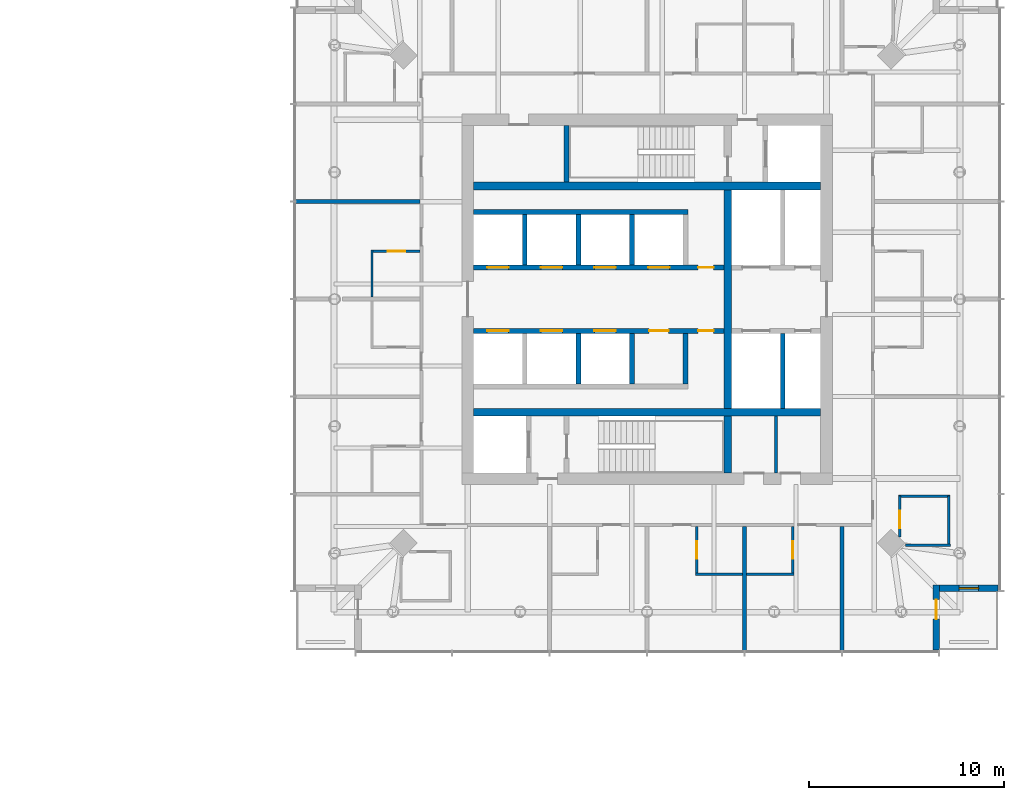
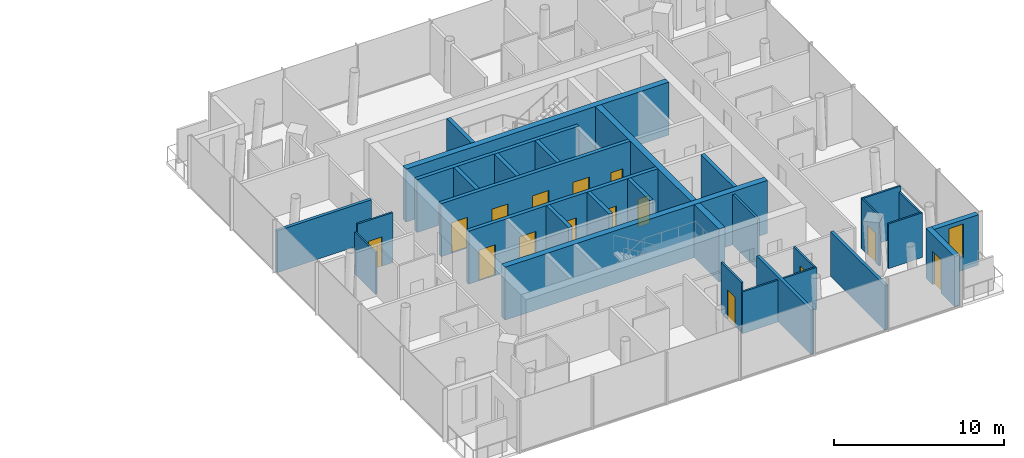
# One storey, part 14 of 27: 31 walls, 15 doors, 1 window, 16 openings.
"""IFC4 building model written with IfcOpenShell, lengths in metres."""

from ifc_helpers import new_model, si_unit, direction, frame, frame_2d, origin, place, context, subcontext, project, spatial, rectangle, extrude, material, layer, layer_set, type_object, element, fill, save


model = new_model("IFC4")

# Units and contexts
model_context = context("Model", 3, precision=1e-05, world=origin(), true_north=direction((0.0, 1.0)))
body_context = subcontext(model_context, "Body", "Model", "MODEL_VIEW")
ifc_project = project(units=[si_unit("LENGTHUNIT", "METRE"), si_unit("AREAUNIT", "SQUARE_METRE"), si_unit("VOLUMEUNIT", "CUBIC_METRE"), si_unit("PLANEANGLEUNIT", "RADIAN"), si_unit("MASSUNIT", "GRAM", prefix="KILO")], contexts=[model_context])

# Site, building, storey
site_placement = place(None, origin())
site = spatial("IfcSite", under=ifc_project, at=site_placement, CompositionType="ELEMENT")
building_placement = place(site_placement, origin())
building = spatial("IfcBuilding", under=site, at=building_placement, Name="Ostroluk Exchange", CompositionType="ELEMENT")
storey_placement = place(building_placement, frame((0.0, 0.0, 89.39990234375)))
storey = spatial("IfcBuildingStorey", under=building, at=storey_placement, Name="L22", CompositionType="ELEMENT", Elevation=89.39990234375)

# Walls
ifc_material_1 = material(Name="Concrete blockwork", Category="masonry")
ifc_layer_1 = layer(ifc_material_1, 0.14990234375)
ifc_layer_set_1 = layer_set([ifc_layer_1], Name="Blockwork plant room wall 150")
wall_type_1 = type_object("IfcWallType", Name="Blockwork plant room wall 150", PredefinedType="SOLIDWALL", material=ifc_layer_set_1)
wall_1_placement = place(storey_placement, frame((123.614990234375, 37.10009765625, 0.0), z_axis=(0.0, 0.0, 1.0), x_axis=(0.0, 1.0, 0.0)))
element("IfcWall", 1, at=wall_1_placement, inside=storey, type_object=wall_type_1, Name="Core room wall", PredefinedType="SOLIDWALL", context=body_context, shape_type="SweptSolid", body=[
    extrude(rectangle(XDim=2.89990234375, YDim=0.14990234375, at=frame_2d((1.449951171875, 0.0))), origin(), (0.0, 0.0, 1.0), 3.60009765625),
])
ifc_material_2 = material(Name="Concrete C50/60", Category="concrete")
ifc_layer_2 = layer(ifc_material_2, 0.39990234375)
ifc_layer_set_2 = layer_set([ifc_layer_2], Name="Core cross wall 400 C50/60")
wall_type_2 = type_object("IfcWallType", Name="Core cross wall 400 C50/60", PredefinedType="SHEAR", material=ifc_layer_set_2)
for number, where, z_axis, x_axis, name in (
    (2, (108.10009765625, 40.199951171875, 0.0), (0.0, 0.0, 1.0), (1.0, 0.0, 0.0), "T2 core wall XS"),
    (3, (108.10009765625, 51.800048828125, 0.0), (0.0, 0.0, 1.0), (1.0, 0.0, 0.0), "T2 core wall XN"),
):
    element("IfcWall", number, at=place(storey_placement, frame(where, z_axis=z_axis, x_axis=x_axis)), inside=storey, type_object=wall_type_2, Name=name, PredefinedType="SHEAR", context=body_context, shape_type="SweptSolid", body=[
        extrude(rectangle(XDim=17.7998046875, YDim=0.39990234375, at=frame_2d((8.89990234375, 0.0))), origin(), (0.0, 0.0, 1.0), 3.800048828125),
    ])
wall_2_placement = place(storey_placement, frame((121.1298828125, 37.10009765625, 0.0), z_axis=(0.0, 0.0, 1.0), x_axis=(0.0, 1.0, 0.0)))
element("IfcWall", 4, at=wall_2_placement, inside=storey, type_object=wall_type_2, Name="T2 core wall YE1", PredefinedType="SHEAR", context=body_context, shape_type="SweptSolid", body=[
    extrude(rectangle(XDim=2.89990234375, YDim=0.39990234375, at=frame_2d((1.449951171875, 0.0))), origin(), (0.0, 0.0, 1.0), 3.800048828125),
])
wall_3_placement = place(storey_placement, frame((121.1298828125, 40.39990234375, 0.0), z_axis=(0.0, 0.0, 1.0), x_axis=(0.0, 1.0, 0.0)))
element("IfcWall", 5, at=wall_3_placement, inside=storey, type_object=wall_type_2, Name="T2 core wall YE2", PredefinedType="SHEAR", context=body_context, shape_type="SweptSolid", body=[
    extrude(rectangle(XDim=11.2001953125, YDim=0.39990234375, at=frame_2d((5.60009765625, 0.0))), origin(), (0.0, 0.0, 1.0), 3.800048828125),
])
ifc_material_3 = material(Name="Concrete C40/50", Category="concrete")
ifc_layer_3 = layer(ifc_material_3, 0.25)
ifc_layer_set_3 = layer_set([ifc_layer_3], Name="Core shaft wall 250")
wall_type_3 = type_object("IfcWallType", Name="Core shaft wall 250", PredefinedType="SHEAR", material=ifc_layer_set_3)
wall_4_placement = place(storey_placement, frame((112.875, 52.0, 0.0), z_axis=(0.0, 0.0, 1.0), x_axis=(0.0, 1.0, 0.0)))
element("IfcWall", 6, at=wall_4_placement, inside=storey, type_object=wall_type_3, Name="Stair shaft wall", PredefinedType="SHEAR", context=body_context, shape_type="SweptSolid", body=[
    extrude(rectangle(XDim=2.89990234375, YDim=0.25, at=frame_2d((1.449951171875, 0.0))), origin(), (0.0, 0.0, 1.0), 3.800048828125),
])
for number, where, z_axis, x_axis, name in (
    (7, (110.72509765625, 47.75, 0.0), (0.0, 0.0, 1.0), (0.0, 1.0, 0.0), "Lift shaft wall"),
    (8, (113.47509765625, 47.75, 0.0), (0.0, 0.0, 1.0), (0.0, 1.0, 0.0), "Lift shaft wall"),
    (9, (116.22509765625, 47.75, 0.0), (0.0, 0.0, 1.0), (0.0, 1.0, 0.0), "Lift shaft wall"),
):
    element("IfcWall", number, at=place(storey_placement, frame(where, z_axis=z_axis, x_axis=x_axis)), inside=storey, type_object=wall_type_3, Name=name, PredefinedType="SHEAR", context=body_context, shape_type="SweptSolid", body=[
        extrude(rectangle(XDim=2.60009765625, YDim=0.25, at=frame_2d((1.300048828125, 0.0))), origin(), (0.0, 0.0, 1.0), 3.800048828125),
    ])
wall_5_placement = place(storey_placement, frame((108.10009765625, 50.47509765625, 0.0), z_axis=(0.0, 0.0, 1.0), x_axis=(1.0, 0.0, 0.0)))
element("IfcWall", 10, at=wall_5_placement, inside=storey, type_object=wall_type_3, Name="Lift shaft wall", PredefinedType="SHEAR", context=body_context, shape_type="SweptSolid", body=[
    extrude(rectangle(XDim=11.0, YDim=0.25, at=frame_2d((5.5, 0.0))), origin(), (0.0, 0.0, 1.0), 3.800048828125),
])

# Wall, openings, doors
wall_6_placement = place(storey_placement, frame((108.10009765625, 47.625, 0.0), z_axis=(0.0, 0.0, 1.0), x_axis=(1.0, 0.0, 0.0)))
wall_6 = element("IfcWall", 11, at=wall_6_placement, inside=storey, type_object=wall_type_3, Name="Lift shaft front wall", PredefinedType="SHEAR", context=body_context, shape_type="SweptSolid", body=[
    extrude(rectangle(XDim=12.829833984375, YDim=0.25, at=frame_2d((6.4150390625, 0.0))), origin(), (0.0, 0.0, 1.0), 3.800048828125),
])
opening_1_placement = place(wall_6_placement, frame((0.699951171875, 0.0, 0.0)))
opening_1 = element("IfcOpeningElement", 12, at=opening_1_placement, cuts=wall_6, Name="Opening LD", PredefinedType="OPENING", context=body_context, shape_type="SweptSolid", body=[
    extrude(rectangle(XDim=1.10009765625, YDim=2.199951171875, at=frame_2d((0.550048828125, 1.10009765625))), frame((0.0, 0.135009765625, 0.0), z_axis=(0.0, -1.0, 0.0), x_axis=(1.0, 0.0, 0.0)), (0.0, 0.0, 1.0), 0.27001953125),
])
opening_2_placement = place(wall_6_placement, frame((3.449951171875, 0.0, 0.0)))
opening_2 = element("IfcOpeningElement", 13, at=opening_2_placement, cuts=wall_6, Name="Opening LD", PredefinedType="OPENING", context=body_context, shape_type="SweptSolid", body=[
    extrude(rectangle(XDim=1.10009765625, YDim=2.199951171875, at=frame_2d((0.550048828125, 1.10009765625))), frame((0.0, 0.135009765625, 0.0), z_axis=(0.0, -1.0, 0.0), x_axis=(1.0, 0.0, 0.0)), (0.0, 0.0, 1.0), 0.27001953125),
])
opening_3_placement = place(wall_6_placement, frame((6.199951171875, 0.0, 0.0)))
opening_3 = element("IfcOpeningElement", 14, at=opening_3_placement, cuts=wall_6, Name="Opening LD", PredefinedType="OPENING", context=body_context, shape_type="SweptSolid", body=[
    extrude(rectangle(XDim=1.10009765625, YDim=2.199951171875, at=frame_2d((0.550048828125, 1.10009765625))), frame((0.0, 0.135009765625, 0.0), z_axis=(0.0, -1.0, 0.0), x_axis=(1.0, 0.0, 0.0)), (0.0, 0.0, 1.0), 0.27001953125),
])
opening_4_placement = place(wall_6_placement, frame((8.949951171875, 0.0, 0.0)))
opening_4 = element("IfcOpeningElement", 15, at=opening_4_placement, cuts=wall_6, Name="Opening LD", PredefinedType="OPENING", context=body_context, shape_type="SweptSolid", body=[
    extrude(rectangle(XDim=1.10009765625, YDim=2.199951171875, at=frame_2d((0.550048828125, 1.10009765625))), frame((0.0, 0.135009765625, 0.0), z_axis=(0.0, -1.0, 0.0), x_axis=(1.0, 0.0, 0.0)), (0.0, 0.0, 1.0), 0.27001953125),
])
opening_5_placement = place(wall_6_placement, frame((11.514892578125, 0.0, 0.0)))
opening_5 = element("IfcOpeningElement", 16, at=opening_5_placement, cuts=wall_6, Name="Opening RD60", PredefinedType="OPENING", context=body_context, shape_type="SweptSolid", body=[
    extrude(rectangle(XDim=0.800048828125, YDim=2.0, at=frame_2d((0.39990234375, 1.0))), frame((0.0, 0.135009765625, 0.0), z_axis=(0.0, -1.0, 0.0), x_axis=(1.0, 0.0, 0.0)), (0.0, 0.0, 1.0), 0.27001953125),
])
ifc_material_4 = material(Name="Stainless steel", Category="steel")
door_type_1 = type_object("IfcDoorType", Name="Lift landing door E 60 1100 x 2200", OperationType="DOUBLE_DOOR_SLIDING", PredefinedType="DOOR", material=ifc_material_4)
door_1_placement = place(opening_1_placement, origin())
door_1 = element("IfcDoor", 17, at=door_1_placement, inside=storey, type_object=door_type_1, Name="Lift HL1 landing door", OperationType="DOUBLE_DOOR_SLIDING", OverallHeight=2.199951171875, OverallWidth=1.10009765625, PredefinedType="DOOR", context=body_context, shape_type="SweptSolid", body=[
    extrude(rectangle(XDim=1.10009765625, YDim=2.199951171875, at=frame_2d((0.550048828125, 1.10009765625))), frame((0.0, 0.02490234375, 0.0), z_axis=(0.0, -1.0, 0.0), x_axis=(1.0, 0.0, 0.0)), (0.0, 0.0, 1.0), 0.050048828125),
])
fill(opening_1, door_1)
door_2_placement = place(opening_2_placement, origin())
door_2 = element("IfcDoor", 18, at=door_2_placement, inside=storey, type_object=door_type_1, Name="Lift HL2 landing door", OperationType="DOUBLE_DOOR_SLIDING", OverallHeight=2.199951171875, OverallWidth=1.10009765625, PredefinedType="DOOR", context=body_context, shape_type="SweptSolid", body=[
    extrude(rectangle(XDim=1.10009765625, YDim=2.199951171875, at=frame_2d((0.550048828125, 1.10009765625))), frame((0.0, 0.02490234375, 0.0), z_axis=(0.0, -1.0, 0.0), x_axis=(1.0, 0.0, 0.0)), (0.0, 0.0, 1.0), 0.050048828125),
])
fill(opening_2, door_2)
door_3_placement = place(opening_3_placement, origin())
door_3 = element("IfcDoor", 19, at=door_3_placement, inside=storey, type_object=door_type_1, Name="Lift HL3 landing door", OperationType="DOUBLE_DOOR_SLIDING", OverallHeight=2.199951171875, OverallWidth=1.10009765625, PredefinedType="DOOR", context=body_context, shape_type="SweptSolid", body=[
    extrude(rectangle(XDim=1.10009765625, YDim=2.199951171875, at=frame_2d((0.550048828125, 1.10009765625))), frame((0.0, 0.02490234375, 0.0), z_axis=(0.0, -1.0, 0.0), x_axis=(1.0, 0.0, 0.0)), (0.0, 0.0, 1.0), 0.050048828125),
])
fill(opening_3, door_3)
door_4_placement = place(opening_4_placement, origin())
door_4 = element("IfcDoor", 20, at=door_4_placement, inside=storey, type_object=door_type_1, Name="Lift HL4 landing door", OperationType="DOUBLE_DOOR_SLIDING", OverallHeight=2.199951171875, OverallWidth=1.10009765625, PredefinedType="DOOR", context=body_context, shape_type="SweptSolid", body=[
    extrude(rectangle(XDim=1.10009765625, YDim=2.199951171875, at=frame_2d((0.550048828125, 1.10009765625))), frame((0.0, 0.02490234375, 0.0), z_axis=(0.0, -1.0, 0.0), x_axis=(1.0, 0.0, 0.0)), (0.0, 0.0, 1.0), 0.050048828125),
])
fill(opening_4, door_4)
ifc_material_5 = material(Name="Steel", Category="steel")
door_type_2 = type_object("IfcDoorType", Name="Riser access door EI 60 800 x 2000", OperationType="SINGLE_SWING_LEFT", PredefinedType="DOOR", material=ifc_material_5)
door_5_placement = place(opening_5_placement, origin())
door_5 = element("IfcDoor", 21, at=door_5_placement, inside=storey, type_object=door_type_2, Name="Riser access door", OperationType="SINGLE_SWING_RIGHT", OverallHeight=2.0, OverallWidth=0.800048828125, PredefinedType="DOOR", context=body_context, shape_type="SweptSolid", body=[
    extrude(rectangle(XDim=0.800048828125, YDim=2.0, at=frame_2d((0.39990234375, 1.0))), frame((0.0, 0.02490234375, 0.0), z_axis=(0.0, -1.0, 0.0), x_axis=(1.0, 0.0, 0.0)), (0.0, 0.0, 1.0), 0.050048828125),
])
fill(opening_5, door_5)

# Walls
for number, where, z_axis, x_axis, name in (
    (22, (113.47509765625, 44.25, 0.0), (0.0, 0.0, 1.0), (0.0, -1.0, 0.0), "Lift shaft wall"),
    (23, (116.22509765625, 44.25, 0.0), (0.0, 0.0, 1.0), (0.0, -1.0, 0.0), "Lift shaft wall"),
    (24, (118.97509765625, 44.25, 0.0), (0.0, 0.0, 1.0), (0.0, -1.0, 0.0), "Lift shaft wall"),
):
    element("IfcWall", number, at=place(storey_placement, frame(where, z_axis=z_axis, x_axis=x_axis)), inside=storey, type_object=wall_type_3, Name=name, PredefinedType="SHEAR", context=body_context, shape_type="SweptSolid", body=[
        extrude(rectangle(XDim=2.60009765625, YDim=0.25, at=frame_2d((1.300048828125, 0.0))), origin(), (0.0, 0.0, 1.0), 3.800048828125),
    ])

# Wall, openings, doors
wall_7_placement = place(storey_placement, frame((108.10009765625, 44.375, 0.0), z_axis=(0.0, 0.0, 1.0), x_axis=(1.0, 0.0, 0.0)))
wall_7 = element("IfcWall", 25, at=wall_7_placement, inside=storey, type_object=wall_type_3, Name="Lift shaft front wall", PredefinedType="SHEAR", context=body_context, shape_type="SweptSolid", body=[
    extrude(rectangle(XDim=12.829833984375, YDim=0.25, at=frame_2d((6.4150390625, 0.0))), origin(), (0.0, 0.0, 1.0), 3.800048828125),
])
opening_6_placement = place(wall_7_placement, frame((0.699951171875, 0.0, 0.0)))
opening_6 = element("IfcOpeningElement", 26, at=opening_6_placement, cuts=wall_7, Name="Opening LD", PredefinedType="OPENING", context=body_context, shape_type="SweptSolid", body=[
    extrude(rectangle(XDim=1.10009765625, YDim=2.199951171875, at=frame_2d((0.550048828125, 1.10009765625))), frame((0.0, 0.135009765625, 0.0), z_axis=(0.0, -1.0, 0.0), x_axis=(1.0, 0.0, 0.0)), (0.0, 0.0, 1.0), 0.27001953125),
])
opening_7_placement = place(wall_7_placement, frame((3.449951171875, 0.0, 0.0)))
opening_7 = element("IfcOpeningElement", 27, at=opening_7_placement, cuts=wall_7, Name="Opening LD", PredefinedType="OPENING", context=body_context, shape_type="SweptSolid", body=[
    extrude(rectangle(XDim=1.10009765625, YDim=2.199951171875, at=frame_2d((0.550048828125, 1.10009765625))), frame((0.0, 0.135009765625, 0.0), z_axis=(0.0, -1.0, 0.0), x_axis=(1.0, 0.0, 0.0)), (0.0, 0.0, 1.0), 0.27001953125),
])
opening_8_placement = place(wall_7_placement, frame((6.199951171875, 0.0, 0.0)))
opening_8 = element("IfcOpeningElement", 28, at=opening_8_placement, cuts=wall_7, Name="Opening LD", PredefinedType="OPENING", context=body_context, shape_type="SweptSolid", body=[
    extrude(rectangle(XDim=1.10009765625, YDim=2.199951171875, at=frame_2d((0.550048828125, 1.10009765625))), frame((0.0, 0.135009765625, 0.0), z_axis=(0.0, -1.0, 0.0), x_axis=(1.0, 0.0, 0.0)), (0.0, 0.0, 1.0), 0.27001953125),
])
opening_9_placement = place(wall_7_placement, frame((9.0, 0.0, 0.0)))
opening_9 = element("IfcOpeningElement", 29, at=opening_9_placement, cuts=wall_7, Name="Opening FD60", PredefinedType="OPENING", context=body_context, shape_type="SweptSolid", body=[
    extrude(rectangle(XDim=1.0, YDim=2.10009765625, at=frame_2d((0.5, 1.050048828125))), frame((0.0, 0.135009765625, 0.0), z_axis=(0.0, -1.0, 0.0), x_axis=(1.0, 0.0, 0.0)), (0.0, 0.0, 1.0), 0.27001953125),
])
opening_10_placement = place(wall_7_placement, frame((11.514892578125, 0.0, 0.0)))
opening_10 = element("IfcOpeningElement", 30, at=opening_10_placement, cuts=wall_7, Name="Opening RD60", PredefinedType="OPENING", context=body_context, shape_type="SweptSolid", body=[
    extrude(rectangle(XDim=0.800048828125, YDim=2.0, at=frame_2d((0.39990234375, 1.0))), frame((0.0, 0.135009765625, 0.0), z_axis=(0.0, -1.0, 0.0), x_axis=(1.0, 0.0, 0.0)), (0.0, 0.0, 1.0), 0.27001953125),
])
ifc_material_6 = material(Name="Steel", Category="steel")
door_type_3 = type_object("IfcDoorType", Name="Fire door EI 60 1000 x 2100", OperationType="SINGLE_SWING_LEFT", PredefinedType="DOOR", material=ifc_material_6)
door_6_placement = place(opening_9_placement, origin())
door_6 = element("IfcDoor", 31, at=door_6_placement, inside=storey, type_object=door_type_3, Name="Core room door", OperationType="SINGLE_SWING_RIGHT", OverallHeight=2.10009765625, OverallWidth=1.0, PredefinedType="DOOR", context=body_context, shape_type="SweptSolid", body=[
    extrude(rectangle(XDim=1.0, YDim=2.10009765625, at=frame_2d((0.5, 1.050048828125))), frame((0.0, 0.02490234375, 0.0), z_axis=(0.0, -1.0, 0.0), x_axis=(1.0, 0.0, 0.0)), (0.0, 0.0, 1.0), 0.050048828125),
])
fill(opening_9, door_6)
door_7_placement = place(opening_6_placement, origin())
door_7 = element("IfcDoor", 32, at=door_7_placement, inside=storey, type_object=door_type_1, Name="Lift HL5 landing door", OperationType="DOUBLE_DOOR_SLIDING", OverallHeight=2.199951171875, OverallWidth=1.10009765625, PredefinedType="DOOR", context=body_context, shape_type="SweptSolid", body=[
    extrude(rectangle(XDim=1.10009765625, YDim=2.199951171875, at=frame_2d((0.550048828125, 1.10009765625))), frame((0.0, 0.02490234375, 0.0), z_axis=(0.0, -1.0, 0.0), x_axis=(1.0, 0.0, 0.0)), (0.0, 0.0, 1.0), 0.050048828125),
])
fill(opening_6, door_7)
door_8_placement = place(opening_7_placement, origin())
door_8 = element("IfcDoor", 33, at=door_8_placement, inside=storey, type_object=door_type_1, Name="Lift HL6 landing door", OperationType="DOUBLE_DOOR_SLIDING", OverallHeight=2.199951171875, OverallWidth=1.10009765625, PredefinedType="DOOR", context=body_context, shape_type="SweptSolid", body=[
    extrude(rectangle(XDim=1.10009765625, YDim=2.199951171875, at=frame_2d((0.550048828125, 1.10009765625))), frame((0.0, 0.02490234375, 0.0), z_axis=(0.0, -1.0, 0.0), x_axis=(1.0, 0.0, 0.0)), (0.0, 0.0, 1.0), 0.050048828125),
])
fill(opening_7, door_8)
door_9_placement = place(opening_8_placement, origin())
door_9 = element("IfcDoor", 34, at=door_9_placement, inside=storey, type_object=door_type_1, Name="Lift HL7 landing door", OperationType="DOUBLE_DOOR_SLIDING", OverallHeight=2.199951171875, OverallWidth=1.10009765625, PredefinedType="DOOR", context=body_context, shape_type="SweptSolid", body=[
    extrude(rectangle(XDim=1.10009765625, YDim=2.199951171875, at=frame_2d((0.550048828125, 1.10009765625))), frame((0.0, 0.02490234375, 0.0), z_axis=(0.0, -1.0, 0.0), x_axis=(1.0, 0.0, 0.0)), (0.0, 0.0, 1.0), 0.050048828125),
])
fill(opening_8, door_9)
door_10_placement = place(opening_10_placement, origin())
door_10 = element("IfcDoor", 35, at=door_10_placement, inside=storey, type_object=door_type_2, Name="Riser access door", OperationType="SINGLE_SWING_RIGHT", OverallHeight=2.0, OverallWidth=0.800048828125, PredefinedType="DOOR", context=body_context, shape_type="SweptSolid", body=[
    extrude(rectangle(XDim=0.800048828125, YDim=2.0, at=frame_2d((0.39990234375, 1.0))), frame((0.0, 0.02490234375, 0.0), z_axis=(0.0, -1.0, 0.0), x_axis=(1.0, 0.0, 0.0)), (0.0, 0.0, 1.0), 0.050048828125),
])
fill(opening_10, door_10)

# Wall
wall_8_placement = place(storey_placement, frame((123.955078125, 44.25, 0.0), z_axis=(0.0, 0.0, 1.0), x_axis=(0.0, -1.0, 0.0)))
element("IfcWall", 36, at=wall_8_placement, inside=storey, type_object=wall_type_3, Name="Lift shaft wall", PredefinedType="SHEAR", context=body_context, shape_type="SweptSolid", body=[
    extrude(rectangle(XDim=3.85009765625, YDim=0.25, at=frame_2d((1.925048828125, 0.0))), origin(), (0.0, 0.0, 1.0), 3.800048828125),
])

# Wall, opening, door
ifc_material_7 = material(Name="Limestone", Category="masonry")
ifc_layer_4 = layer(ifc_material_7, 0.35009765625)
ifc_layer_set_4 = layer_set([ifc_layer_4], Name="Limestone facade wall 350")
wall_type_4 = type_object("IfcWallType", Name="Limestone facade wall 350", PredefinedType="SOLIDWALL", material=ifc_layer_set_4)
wall_9_placement = place(storey_placement, frame((131.824951171875, 28.0, 0.0), z_axis=(0.0, 0.0, 1.0), x_axis=(0.0, 1.0, 0.0)))
wall_9 = element("IfcWall", 37, at=wall_9_placement, inside=storey, type_object=wall_type_4, Name="Hotel tower SE corner wall L22 a", PredefinedType="SOLIDWALL", context=body_context, shape_type="SweptSolid", body=[
    extrude(rectangle(XDim=3.35009765625, YDim=0.35009765625, at=frame_2d((1.675048828125, 0.0))), origin(), (0.0, 0.0, 1.0), 3.60009765625),
])
opening_11_placement = place(wall_9_placement, frame((1.60009765625, 0.0, 0.0)))
opening_11 = element("IfcOpeningElement", 38, at=opening_11_placement, cuts=wall_9, Name="Opening D-B1", PredefinedType="OPENING", context=body_context, shape_type="SweptSolid", body=[
    extrude(rectangle(XDim=1.0, YDim=2.39990234375, at=frame_2d((0.5, 1.199951171875))), frame((0.0, 0.18505859375, 0.0), z_axis=(0.0, -1.0, 0.0), x_axis=(1.0, 0.0, 0.0)), (0.0, 0.0, 1.0), 0.3701171875),
])
ifc_material_8 = material(Name="Bronze framed glazed door", Category="aluminium")
door_type_4 = type_object("IfcDoorType", Name="Balcony door 1000 x 2400", OperationType="SINGLE_SWING_LEFT", PredefinedType="DOOR", material=ifc_material_8)
door_11_placement = place(opening_11_placement, origin())
door_11 = element("IfcDoor", 39, at=door_11_placement, inside=storey, type_object=door_type_4, Name="Hotel tower SE balcony door L22", OperationType="SINGLE_SWING_RIGHT", OverallHeight=2.39990234375, OverallWidth=1.0, PredefinedType="DOOR", context=body_context, shape_type="SweptSolid", body=[
    extrude(rectangle(XDim=1.0, YDim=2.39990234375, at=frame_2d((0.5, 1.199951171875))), frame((0.0, 0.02490234375, 0.0), z_axis=(0.0, -1.0, 0.0), x_axis=(1.0, 0.0, 0.0)), (0.0, 0.0, 1.0), 0.050048828125),
])
fill(opening_11, door_11)

# Wall, opening, window
wall_10_placement = place(storey_placement, frame((132.0, 31.175048828125, 0.0), z_axis=(0.0, 0.0, 1.0), x_axis=(1.0, 0.0, 0.0)))
wall_10 = element("IfcWall", 40, at=wall_10_placement, inside=storey, type_object=wall_type_4, Name="Hotel tower SE corner wall L22 b", PredefinedType="SOLIDWALL", context=body_context, shape_type="SweptSolid", body=[
    extrude(rectangle(XDim=3.0, YDim=0.35009765625, at=frame_2d((1.5, 0.0))), origin(), (0.0, 0.0, 1.0), 3.60009765625),
])
opening_12_placement = place(wall_10_placement, frame((1.0, 0.0, 0.89990234375)))
opening_12 = element("IfcOpeningElement", 41, at=opening_12_placement, cuts=wall_10, Name="Opening WN-L3", PredefinedType="OPENING", context=body_context, shape_type="SweptSolid", body=[
    extrude(rectangle(XDim=1.0, YDim=2.39990234375, at=frame_2d((0.5, 1.199951171875))), frame((0.0, 0.18505859375, 0.0), z_axis=(0.0, -1.0, 0.0), x_axis=(1.0, 0.0, 0.0)), (0.0, 0.0, 1.0), 0.3701171875),
])
ifc_material_9 = material(Name="Laminated clear glass", Category="glass")
window_type = type_object("IfcWindowType", Name="Hotel lancet window 1000 x 2400", PartitioningType="SINGLE_PANEL", PredefinedType="WINDOW", material=ifc_material_9)
window_placement = place(opening_12_placement, origin())
window = element("IfcWindow", 42, at=window_placement, inside=storey, type_object=window_type, Name="Hotel tower SE lancet window L22", OverallHeight=2.39990234375, OverallWidth=1.0, PartitioningType="SINGLE_PANEL", PredefinedType="WINDOW", context=body_context, shape_type="SweptSolid", body=[
    extrude(rectangle(XDim=1.0, YDim=2.39990234375, at=frame_2d((0.5, 1.199951171875))), frame((0.0, 0.030029296875, 0.0), z_axis=(0.0, -1.0, 0.0), x_axis=(1.0, 0.0, 0.0)), (0.0, 0.0, 1.0), 0.06005859375),
])
fill(opening_12, window)

# Wall, opening, door
ifc_material_10 = material(Name="Gypsum plasterboard partition, moisture resistant", Category="gypsum")
ifc_layer_5 = layer(ifc_material_10, 0.1201171875)
ifc_layer_set_5 = layer_set([ifc_layer_5], Name="Plasterboard en-suite wall 120")
wall_type_5 = type_object("IfcWallType", Name="Plasterboard en-suite wall 120", PredefinedType="PARTITIONING", material=ifc_layer_set_5)
wall_11_placement = place(storey_placement, frame((129.949951171875, 35.89990234375, 0.0), z_axis=(0.0, 0.0, 1.0), x_axis=(0.0, -1.0, 0.0)))
wall_11 = element("IfcWall", 43, at=wall_11_placement, inside=storey, type_object=wall_type_5, Name="En-suite wall", PredefinedType="PARTITIONING", context=body_context, shape_type="SweptSolid", body=[
    extrude(rectangle(XDim=2.082763671875, YDim=0.1201171875, at=frame_2d((1.04150390625, 0.0))), origin(), (0.0, 0.0, 1.0), 3.60009765625),
])
opening_13_placement = place(wall_11_placement, frame((0.75, 0.0, 0.0)))
opening_13 = element("IfcOpeningElement", 44, at=opening_13_placement, cuts=wall_11, Name="Opening D-02", PredefinedType="OPENING", context=body_context, shape_type="SweptSolid", body=[
    extrude(rectangle(XDim=0.89990234375, YDim=2.10009765625, at=frame_2d((0.449951171875, 1.050048828125))), frame((0.0, 0.070068359375, 0.0), z_axis=(0.0, -1.0, 0.0), x_axis=(1.0, 0.0, 0.0)), (0.0, 0.0, 1.0), 0.14013671875),
])
ifc_material_11 = material(Name="Timber", Category="wood")
door_type_5 = type_object("IfcDoorType", Name="En-suite door 900 x 2100", OperationType="SINGLE_SWING_LEFT", PredefinedType="DOOR", material=ifc_material_11)
door_12_placement = place(opening_13_placement, origin())
door_12 = element("IfcDoor", 45, at=door_12_placement, inside=storey, type_object=door_type_5, Name="En-suite door 2201", OperationType="SINGLE_SWING_RIGHT", OverallHeight=2.10009765625, OverallWidth=0.89990234375, PredefinedType="DOOR", context=body_context, shape_type="SweptSolid", body=[
    extrude(rectangle(XDim=0.89990234375, YDim=2.10009765625, at=frame_2d((0.449951171875, 1.050048828125))), frame((0.0, 0.02490234375, 0.0), z_axis=(0.0, -1.0, 0.0), x_axis=(1.0, 0.0, 0.0)), (0.0, 0.0, 1.0), 0.050048828125),
])
fill(opening_13, door_12)

# Walls
wall_12_placement = place(storey_placement, frame((132.469970703125, 35.89990234375, 0.0), z_axis=(0.0, 0.0, 1.0), x_axis=(0.0, -1.0, 0.0)))
element("IfcWall", 46, at=wall_12_placement, inside=storey, type_object=wall_type_5, Name="En-suite wall", PredefinedType="PARTITIONING", context=body_context, shape_type="SweptSolid", body=[
    extrude(rectangle(XDim=2.579833984375, YDim=0.1201171875, at=frame_2d((1.2900390625, 0.0))), origin(), (0.0, 0.0, 1.0), 3.2001953125),
])
wall_13_placement = place(storey_placement, frame((130.25048828125, 33.3798828125, 0.0), z_axis=(0.0, 0.0, 1.0), x_axis=(1.0, 0.0, 0.0)))
element("IfcWall", 47, at=wall_13_placement, inside=storey, type_object=wall_type_5, Name="En-suite wall", PredefinedType="PARTITIONING", context=body_context, shape_type="SweptSolid", body=[
    extrude(rectangle(XDim=2.3095703125, YDim=0.1201171875, at=frame_2d((1.15478515625, 0.0))), origin(), (0.0, 0.0, 1.0), 3.2001953125),
])
wall_14_placement = place(storey_placement, frame((129.889892578125, 35.89990234375, 0.0), z_axis=(0.0, 0.0, 1.0), x_axis=(1.0, 0.0, 0.0)))
element("IfcWall", 48, at=wall_14_placement, inside=storey, type_object=wall_type_5, Name="En-suite wall", PredefinedType="PARTITIONING", context=body_context, shape_type="SweptSolid", body=[
    extrude(rectangle(XDim=2.64013671875, YDim=0.1201171875, at=frame_2d((1.320068359375, 0.0))), origin(), (0.0, 0.0, 1.0), 3.60009765625),
])
wall_15_placement = place(storey_placement, frame((102.889892578125, 48.52001953125, 0.0), z_axis=(0.0, 0.0, 1.0), x_axis=(0.0, -1.0, 0.0)))
element("IfcWall", 49, at=wall_15_placement, inside=storey, type_object=wall_type_5, Name="En-suite wall", PredefinedType="PARTITIONING", context=body_context, shape_type="SweptSolid", body=[
    extrude(rectangle(XDim=2.419921875, YDim=0.1201171875, at=frame_2d((1.2099609375, 0.0))), origin(), (0.0, 0.0, 1.0), 3.0),
])

# Wall, opening, door
wall_16_placement = place(storey_placement, frame((105.35009765625, 48.4599609375, 0.0), z_axis=(0.0, 0.0, 1.0), x_axis=(-1.0, 0.0, 0.0)))
wall_16 = element("IfcWall", 50, at=wall_16_placement, inside=storey, type_object=wall_type_5, Name="En-suite wall", PredefinedType="PARTITIONING", context=body_context, shape_type="SweptSolid", body=[
    extrude(rectangle(XDim=2.400146484375, YDim=0.1201171875, at=frame_2d((1.2001953125, 0.0))), origin(), (0.0, 0.0, 1.0), 3.60009765625),
])
opening_14_placement = place(wall_16_placement, frame((0.75, 0.0, 0.0)))
opening_14 = element("IfcOpeningElement", 51, at=opening_14_placement, cuts=wall_16, Name="Opening D-02", PredefinedType="OPENING", context=body_context, shape_type="SweptSolid", body=[
    extrude(rectangle(XDim=0.89990234375, YDim=2.10009765625, at=frame_2d((0.449951171875, 1.050048828125))), frame((0.0, 0.070068359375, 0.0), z_axis=(0.0, -1.0, 0.0), x_axis=(1.0, 0.0, 0.0)), (0.0, 0.0, 1.0), 0.14013671875),
])
door_13_placement = place(opening_14_placement, origin())
door_13 = element("IfcDoor", 52, at=door_13_placement, inside=storey, type_object=door_type_5, Name="En-suite door 2209", OperationType="SINGLE_SWING_RIGHT", OverallHeight=2.10009765625, OverallWidth=0.89990234375, PredefinedType="DOOR", context=body_context, shape_type="SweptSolid", body=[
    extrude(rectangle(XDim=0.89990234375, YDim=2.10009765625, at=frame_2d((0.449951171875, 1.050048828125))), frame((0.0, 0.02490234375, 0.0), z_axis=(0.0, -1.0, 0.0), x_axis=(1.0, 0.0, 0.0)), (0.0, 0.0, 1.0), 0.050048828125),
])
fill(opening_14, door_13)

# Wall
wall_17_placement = place(storey_placement, frame((119.47998046875, 31.889892578125, 0.0), z_axis=(0.0, 0.0, 1.0), x_axis=(1.0, 0.0, 0.0)))
element("IfcWall", 53, at=wall_17_placement, inside=storey, type_object=wall_type_5, Name="En-suite wall", PredefinedType="PARTITIONING", context=body_context, shape_type="SweptSolid", body=[
    extrude(rectangle(XDim=2.419921875, YDim=0.1201171875, at=frame_2d((1.2099609375, 0.0))), origin(), (0.0, 0.0, 1.0), 3.0),
])

# Wall, opening, door
wall_18_placement = place(storey_placement, frame((119.5400390625, 34.35009765625, 0.0), z_axis=(0.0, 0.0, 1.0), x_axis=(0.0, -1.0, 0.0)))
wall_18 = element("IfcWall", 54, at=wall_18_placement, inside=storey, type_object=wall_type_5, Name="En-suite wall", PredefinedType="PARTITIONING", context=body_context, shape_type="SweptSolid", body=[
    extrude(rectangle(XDim=2.400146484375, YDim=0.1201171875, at=frame_2d((1.2001953125, 0.0))), origin(), (0.0, 0.0, 1.0), 3.60009765625),
])
opening_15_placement = place(wall_18_placement, frame((0.75, 0.0, 0.0)))
opening_15 = element("IfcOpeningElement", 55, at=opening_15_placement, cuts=wall_18, Name="Opening D-02", PredefinedType="OPENING", context=body_context, shape_type="SweptSolid", body=[
    extrude(rectangle(XDim=0.89990234375, YDim=2.10009765625, at=frame_2d((0.449951171875, 1.050048828125))), frame((0.0, 0.070068359375, 0.0), z_axis=(0.0, -1.0, 0.0), x_axis=(1.0, 0.0, 0.0)), (0.0, 0.0, 1.0), 0.14013671875),
])
door_14_placement = place(opening_15_placement, origin())
door_14 = element("IfcDoor", 56, at=door_14_placement, inside=storey, type_object=door_type_5, Name="En-suite door 2214", OperationType="SINGLE_SWING_LEFT", OverallHeight=2.10009765625, OverallWidth=0.89990234375, PredefinedType="DOOR", context=body_context, shape_type="SweptSolid", body=[
    extrude(rectangle(XDim=0.89990234375, YDim=2.10009765625, at=frame_2d((0.449951171875, 1.050048828125))), frame((0.0, 0.02490234375, 0.0), z_axis=(0.0, -1.0, 0.0), x_axis=(1.0, 0.0, 0.0)), (0.0, 0.0, 1.0), 0.050048828125),
])
fill(opening_15, door_14)

# Wall
wall_19_placement = place(storey_placement, frame((122.10009765625, 31.889892578125, 0.0), z_axis=(0.0, 0.0, 1.0), x_axis=(1.0, 0.0, 0.0)))
element("IfcWall", 57, at=wall_19_placement, inside=storey, type_object=wall_type_5, Name="En-suite wall", PredefinedType="PARTITIONING", context=body_context, shape_type="SweptSolid", body=[
    extrude(rectangle(XDim=2.419921875, YDim=0.1201171875, at=frame_2d((1.2099609375, 0.0))), origin(), (0.0, 0.0, 1.0), 3.0),
])

# Wall, opening, door
wall_20_placement = place(storey_placement, frame((124.4599609375, 34.35009765625, 0.0), z_axis=(0.0, 0.0, 1.0), x_axis=(0.0, -1.0, 0.0)))
wall_20 = element("IfcWall", 58, at=wall_20_placement, inside=storey, type_object=wall_type_5, Name="En-suite wall", PredefinedType="PARTITIONING", context=body_context, shape_type="SweptSolid", body=[
    extrude(rectangle(XDim=2.400146484375, YDim=0.1201171875, at=frame_2d((1.2001953125, 0.0))), origin(), (0.0, 0.0, 1.0), 3.0),
])
opening_16_placement = place(wall_20_placement, frame((0.75, 0.0, 0.0)))
opening_16 = element("IfcOpeningElement", 59, at=opening_16_placement, cuts=wall_20, Name="Opening D-02", PredefinedType="OPENING", context=body_context, shape_type="SweptSolid", body=[
    extrude(rectangle(XDim=0.89990234375, YDim=2.10009765625, at=frame_2d((0.449951171875, 1.050048828125))), frame((0.0, 0.070068359375, 0.0), z_axis=(0.0, -1.0, 0.0), x_axis=(1.0, 0.0, 0.0)), (0.0, 0.0, 1.0), 0.14013671875),
])
door_15_placement = place(opening_16_placement, origin())
door_15 = element("IfcDoor", 60, at=door_15_placement, inside=storey, type_object=door_type_5, Name="En-suite door 2215", OperationType="SINGLE_SWING_LEFT", OverallHeight=2.10009765625, OverallWidth=0.89990234375, PredefinedType="DOOR", context=body_context, shape_type="SweptSolid", body=[
    extrude(rectangle(XDim=0.89990234375, YDim=2.10009765625, at=frame_2d((0.449951171875, 1.050048828125))), frame((0.0, 0.02490234375, 0.0), z_axis=(0.0, -1.0, 0.0), x_axis=(1.0, 0.0, 0.0)), (0.0, 0.0, 1.0), 0.050048828125),
])
fill(opening_16, door_15)

# Walls
ifc_material_12 = material(Name="Gypsum plasterboard partition", Category="gypsum")
ifc_layer_6 = layer(ifc_material_12, 0.199951171875)
ifc_layer_set_6 = layer_set([ifc_layer_6], Name="Plasterboard party wall 200")
wall_type_6 = type_object("IfcWallType", Name="Plasterboard party wall 200", PredefinedType="PARTITIONING", material=ifc_layer_set_6)
wall_21_placement = place(storey_placement, frame((105.35009765625, 51.0, 0.0), z_axis=(0.0, 0.0, 1.0), x_axis=(-1.0, 0.0, 0.0)))
element("IfcWall", 61, at=wall_21_placement, inside=storey, type_object=wall_type_6, Name="Party wall", PredefinedType="PARTITIONING", context=body_context, shape_type="SweptSolid", body=[
    extrude(rectangle(XDim=6.39013671875, YDim=0.199951171875, at=frame_2d((3.195068359375, 0.0))), origin(), (0.0, 0.0, 1.0), 3.0),
])
for number, where, z_axis, x_axis, name in (
    (62, (122.0, 34.35009765625, 0.0), (0.0, 0.0, 1.0), (0.0, -1.0, 0.0), "Party wall"),
    (63, (127.0, 34.35009765625, 0.0), (0.0, 0.0, 1.0), (0.0, -1.0, 0.0), "Party wall"),
):
    element("IfcWall", number, at=place(storey_placement, frame(where, z_axis=z_axis, x_axis=x_axis)), inside=storey, type_object=wall_type_6, Name=name, PredefinedType="PARTITIONING", context=body_context, shape_type="SweptSolid", body=[
        extrude(rectangle(XDim=6.39013671875, YDim=0.199951171875, at=frame_2d((3.195068359375, 0.0))), origin(), (0.0, 0.0, 1.0), 3.2001953125),
    ])

save(model, "model.ifc")
